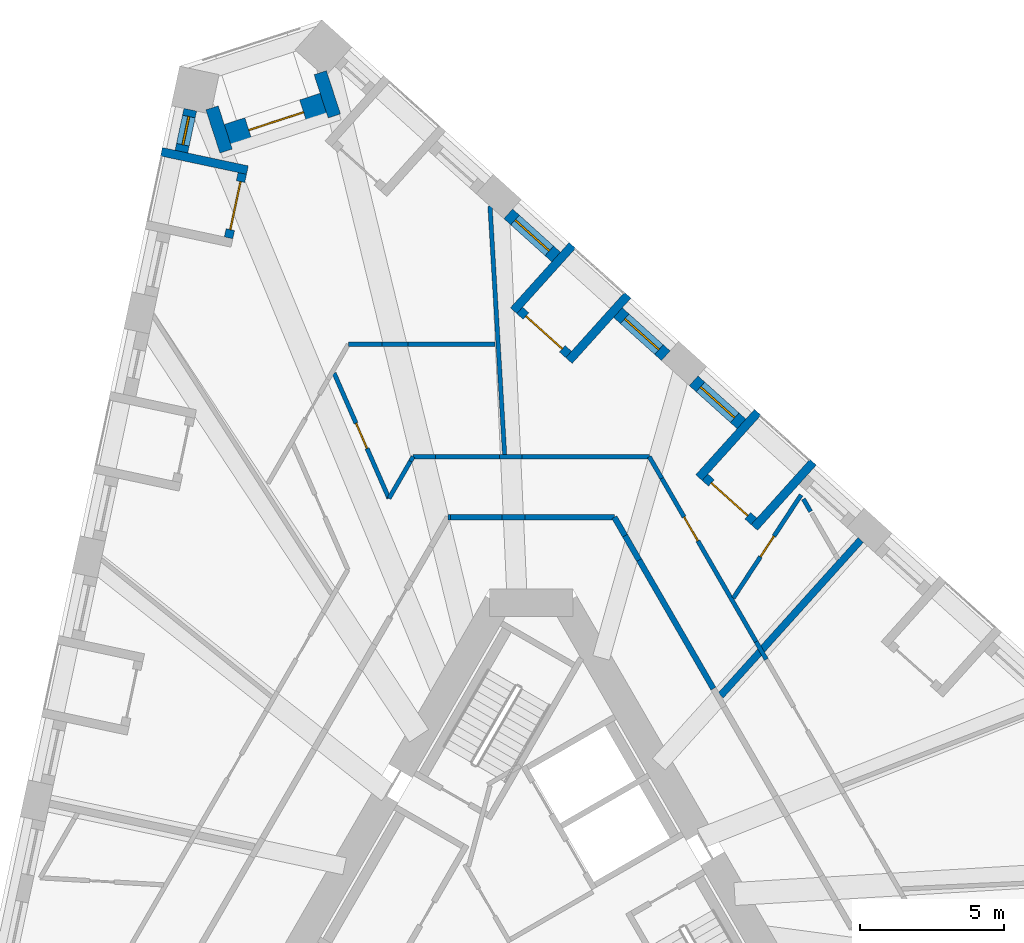
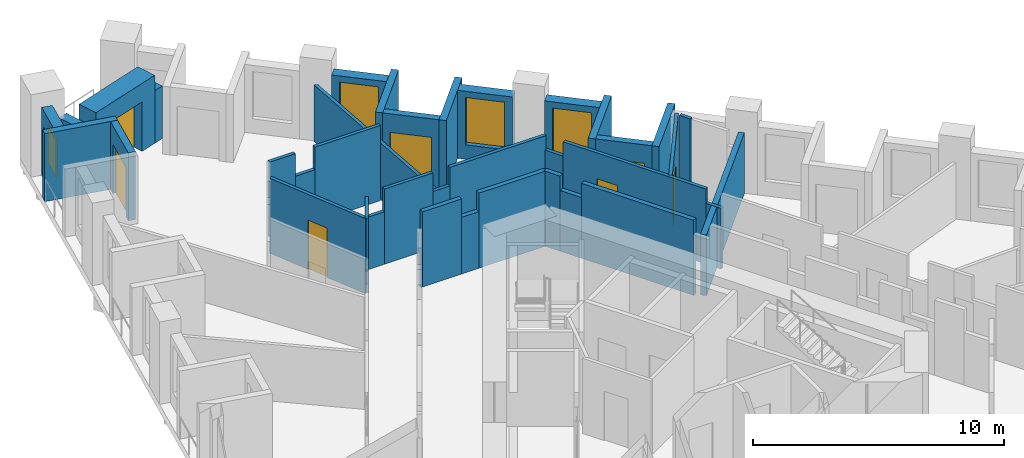
# One storey, part 8 of 12: 39 walls, 7 doors, 4 windows, 11 openings.
"""IFC4 building model written with IfcOpenShell, lengths in metres."""

from ifc_helpers import new_model, si_unit, direction, frame, frame_2d, origin, place, context, subcontext, project, spatial, rectangle, extrude, material, layer, layer_set, type_object, element, fill, save


model = new_model("IFC4")

# Units and contexts
model_context = context("Model", 3, precision=1e-05, world=origin(), true_north=direction((0.0, 1.0)))
body_context = subcontext(model_context, "Body", "Model", "MODEL_VIEW")
ifc_project = project(units=[si_unit("LENGTHUNIT", "METRE"), si_unit("AREAUNIT", "SQUARE_METRE"), si_unit("VOLUMEUNIT", "CUBIC_METRE"), si_unit("PLANEANGLEUNIT", "RADIAN"), si_unit("MASSUNIT", "GRAM", prefix="KILO")], contexts=[model_context])

# Site, building, storey
site_placement = place(None, origin())
site = spatial("IfcSite", under=ifc_project, at=site_placement, CompositionType="ELEMENT")
building_placement = place(site_placement, origin())
building = spatial("IfcBuilding", under=site, at=building_placement, Name="Tramontana Tower", CompositionType="ELEMENT")
storey_placement = place(building_placement, frame((0.0, 0.0, 96.39990234375)))
storey = spatial("IfcBuildingStorey", under=building, at=storey_placement, Name="L21", CompositionType="ELEMENT", Elevation=96.39990234375)

# Walls
ifc_material_1 = material(Name="Blockwork", Category="masonry")
ifc_layer_1 = layer(ifc_material_1, 0.199951171875)
ifc_layer_set_1 = layer_set([ifc_layer_1], Name="ENTRY WALL 200")
wall_type_1 = type_object("IfcWallType", Name="ENTRY WALL 200", PredefinedType="SOLIDWALL", material=ifc_layer_set_1)
wall_1_placement = place(storey_placement, frame((2.88671875, 13.5, 0.0), z_axis=(0.0, 0.0, 1.0), x_axis=(0.499987686533, -0.866032512851, 0.0)))
element("IfcWall", 1, at=wall_1_placement, inside=storey, type_object=wall_type_1, Name="Wall v20-ew0-0", PredefinedType="SOLIDWALL", context=body_context, shape_type="SweptSolid", body=[
    extrude(rectangle(XDim=0.74365234375, YDim=0.199951171875, at=frame_2d((0.371826171875, 0.0))), origin(), (0.0, 0.0, 1.0), 3.650146484375),
])
wall_2_placement = place(storey_placement, frame((3.258544921875, 12.85595703125, 0.0), z_axis=(0.0, 0.0, 1.0), x_axis=(0.500061185694, -0.865990075325, 0.0)))
element("IfcWall", 2, at=wall_2_placement, inside=storey, type_object=wall_type_1, Name="Wall v20-ew0-1", PredefinedType="SOLIDWALL", context=body_context, shape_type="SweptSolid", body=[
    extrude(rectangle(XDim=0.9775390625, YDim=0.199951171875, at=frame_2d((0.48876953125, 0.0))), origin(), (0.0, 0.0, 1.0), 2.9501953125),
])
wall_3_placement = place(storey_placement, frame((3.747314453125, 12.009521484375, 0.0), z_axis=(0.0, 0.0, 1.0), x_axis=(0.500001317485, -0.866024643133, 0.0)))
element("IfcWall", 3, at=wall_3_placement, inside=storey, type_object=wall_type_1, Name="Wall v20-ew0-2", PredefinedType="SOLIDWALL", context=body_context, shape_type="SweptSolid", body=[
    extrude(rectangle(XDim=5.1533203125, YDim=0.199951171875, at=frame_2d((2.57666015625, 0.0))), origin(), (0.0, 0.0, 1.0), 3.650146484375),
])
wall_4_placement = place(storey_placement, frame((-2.88671875, 13.5, 0.0), z_axis=(0.0, 0.0, 1.0), x_axis=(1.0, 0.0, 0.0)))
element("IfcWall", 4, at=wall_4_placement, inside=storey, type_object=wall_type_1, Name="Wall v20-ew5-0", PredefinedType="SOLIDWALL", context=body_context, shape_type="SweptSolid", body=[
    extrude(rectangle(XDim=0.079833984375, YDim=0.199951171875, at=frame_2d((0.0400390625, 0.0))), origin(), (0.0, 0.0, 1.0), 2.550048828125),
])
wall_5_placement = place(storey_placement, frame((-2.806884765625, 13.5, 0.0), z_axis=(0.0, 0.0, 1.0), x_axis=(1.0, 0.0, 0.0)))
element("IfcWall", 5, at=wall_5_placement, inside=storey, type_object=wall_type_1, Name="Wall v20-ew5-1", PredefinedType="SOLIDWALL", context=body_context, shape_type="SweptSolid", body=[
    extrude(rectangle(XDim=1.7880859375, YDim=0.199951171875, at=frame_2d((0.89404296875, 0.0))), origin(), (0.0, 0.0, 1.0), 3.650146484375),
])
wall_6_placement = place(storey_placement, frame((-1.018798828125, 13.5, 0.0), z_axis=(0.0, 0.0, 1.0), x_axis=(1.0, 0.0, 0.0)))
element("IfcWall", 6, at=wall_6_placement, inside=storey, type_object=wall_type_1, Name="Wall v20-ew5-2", PredefinedType="SOLIDWALL", context=body_context, shape_type="SweptSolid", body=[
    extrude(rectangle(XDim=0.80078125, YDim=0.199951171875, at=frame_2d((0.400390625, 0.0))), origin(), (0.0, 0.0, 1.0), 2.75),
])
wall_7_placement = place(storey_placement, frame((-0.218017578125, 13.5, 0.0), z_axis=(0.0, 0.0, 1.0), x_axis=(1.0, 0.0, 0.0)))
element("IfcWall", 7, at=wall_7_placement, inside=storey, type_object=wall_type_1, Name="Wall v20-ew5-3", PredefinedType="SOLIDWALL", context=body_context, shape_type="SweptSolid", body=[
    extrude(rectangle(XDim=3.104736328125, YDim=0.199951171875, at=frame_2d((1.55224609375, 0.0))), origin(), (0.0, 0.0, 1.0), 3.650146484375),
])

# Wall, opening, window
ifc_material_2 = material(Name="Precast concrete 60 MPa", Category="concrete")
ifc_layer_2 = layer(ifc_material_2, 0.449951171875)
ifc_layer_set_2 = layer_set([ifc_layer_2], Name="Precast concrete 60 MPa, 450 mm")
wall_type_2 = type_object("IfcWallType", Name="EW1 Stone-faced precast wall 450", PredefinedType="SOLIDWALL", material=ifc_layer_set_2)
wall_8_placement = place(storey_placement, frame((-11.835693359375, 27.645751953125, 0.0), z_axis=(0.0, 0.0, 1.0), x_axis=(-0.207880358131, -0.978154260178, 0.0)))
wall_8 = element("IfcWall", 8, at=wall_8_placement, inside=storey, type_object=wall_type_2, Name="External wall L21 face 0 bay 1", PredefinedType="SOLIDWALL", context=body_context, shape_type="SweptSolid", body=[
    extrude(rectangle(XDim=1.48681640625, YDim=0.449951171875, at=frame_2d((0.743408203125, 0.0))), origin(), (0.0, 0.0, 1.0), 3.300048828125),
])
opening_1_placement = place(wall_8_placement, frame((0.243408203125, 0.0, 0.699951171875)))
opening_1 = element("IfcOpeningElement", 9, at=opening_1_placement, cuts=wall_8, Name="Opening N1L", PredefinedType="OPENING", context=body_context, shape_type="SweptSolid", body=[
    extrude(rectangle(XDim=1.0, YDim=1.800048828125, at=frame_2d((0.5, 0.89990234375))), frame((0.0, 0.23486328125, 0.0), z_axis=(0.0, -1.0, 0.0), x_axis=(1.0, 0.0, 0.0)), (0.0, 0.0, 1.0), 0.469970703125),
])
ifc_material_3 = material(Name="Aluminum frame, double glazing unit", Category="aluminium")
window_type_1 = type_object("IfcWindowType", Name="N1L Window 1 x 1.8", PartitioningType="SINGLE_PANEL", PredefinedType="WINDOW", material=ifc_material_3)
window_1_placement = place(opening_1_placement, origin())
window_1 = element("IfcWindow", 10, at=window_1_placement, inside=storey, type_object=window_type_1, Name="Window N1L L21 face 0 module 1", OverallHeight=1.800048828125, OverallWidth=1.0, PartitioningType="SINGLE_PANEL", PredefinedType="WINDOW", context=body_context, shape_type="SweptSolid", body=[
    extrude(rectangle(XDim=1.0, YDim=1.800048828125, at=frame_2d((0.5, 0.89990234375))), frame((0.0, 0.030029296875, 0.0), z_axis=(0.0, -1.0, 0.0), x_axis=(1.0, 0.0, 0.0)), (0.0, 0.0, 1.0), 0.06005859375),
])
fill(opening_1, window_1)

wall_9_placement = place(storey_placement, frame((7.30224609375, 16.73828125, 0.0), z_axis=(0.0, 0.0, 1.0), x_axis=(-0.743191019375, 0.669079299276, 0.0)))
wall_9 = element("IfcWall", 11, at=wall_9_placement, inside=storey, type_object=wall_type_2, Name="External wall L21 face 2 bay 4", PredefinedType="SOLIDWALL", context=body_context, shape_type="SweptSolid", body=[
    extrude(rectangle(XDim=2.23681640625, YDim=0.449951171875, at=frame_2d((1.118408203125, 0.0))), origin(), (0.0, 0.0, 1.0), 3.300048828125),
])
opening_2_placement = place(wall_9_placement, frame((0.318359375, 0.0, 0.699951171875)))
opening_2 = element("IfcOpeningElement", 12, at=opening_2_placement, cuts=wall_9, Name="Opening M1", PredefinedType="OPENING", context=body_context, shape_type="SweptSolid", body=[
    extrude(rectangle(XDim=1.60009765625, YDim=2.300048828125, at=frame_2d((0.800048828125, 1.14990234375))), frame((0.0, 0.23486328125, 0.0), z_axis=(0.0, -1.0, 0.0), x_axis=(1.0, 0.0, 0.0)), (0.0, 0.0, 1.0), 0.469970703125),
])
ifc_material_4 = material(Name="Aluminum frame, double glazing unit", Category="aluminium")
window_type_2 = type_object("IfcWindowType", Name="M1 Window 1.6 x 2.3", PartitioningType="SINGLE_PANEL", PredefinedType="WINDOW", material=ifc_material_4)
window_2_placement = place(opening_2_placement, origin())
window_2 = element("IfcWindow", 13, at=window_2_placement, inside=storey, type_object=window_type_2, Name="Window M1 L21 face 2 module 12", OverallHeight=2.300048828125, OverallWidth=1.60009765625, PartitioningType="SINGLE_PANEL", PredefinedType="WINDOW", context=body_context, shape_type="SweptSolid", body=[
    extrude(rectangle(XDim=1.60009765625, YDim=2.300048828125, at=frame_2d((0.800048828125, 1.14990234375))), frame((0.0, 0.030029296875, 0.0), z_axis=(0.0, -1.0, 0.0), x_axis=(1.0, 0.0, 0.0)), (0.0, 0.0, 1.0), 0.06005859375),
])
fill(opening_2, window_2)

wall_10_placement = place(storey_placement, frame((4.673828125, 19.104736328125, 0.0), z_axis=(0.0, 0.0, 1.0), x_axis=(-0.743191019375, 0.669079299276, 0.0)))
wall_10 = element("IfcWall", 14, at=wall_10_placement, inside=storey, type_object=wall_type_2, Name="External wall L21 face 2 bay 5", PredefinedType="SOLIDWALL", context=body_context, shape_type="SweptSolid", body=[
    extrude(rectangle(XDim=2.23681640625, YDim=0.449951171875, at=frame_2d((1.118408203125, 0.0))), origin(), (0.0, 0.0, 1.0), 3.300048828125),
])
opening_3_placement = place(wall_10_placement, frame((0.318359375, 0.0, 0.699951171875)))
opening_3 = element("IfcOpeningElement", 15, at=opening_3_placement, cuts=wall_10, Name="Opening M1", PredefinedType="OPENING", context=body_context, shape_type="SweptSolid", body=[
    extrude(rectangle(XDim=1.60009765625, YDim=2.300048828125, at=frame_2d((0.800048828125, 1.14990234375))), frame((0.0, 0.23486328125, 0.0), z_axis=(0.0, -1.0, 0.0), x_axis=(1.0, 0.0, 0.0)), (0.0, 0.0, 1.0), 0.469970703125),
])
window_3_placement = place(opening_3_placement, origin())
window_3 = element("IfcWindow", 16, at=window_3_placement, inside=storey, type_object=window_type_2, Name="Window M1 L21 face 2 module 13", OverallHeight=2.300048828125, OverallWidth=1.60009765625, PartitioningType="SINGLE_PANEL", PredefinedType="WINDOW", context=body_context, shape_type="SweptSolid", body=[
    extrude(rectangle(XDim=1.60009765625, YDim=2.300048828125, at=frame_2d((0.800048828125, 1.14990234375))), frame((0.0, 0.030029296875, 0.0), z_axis=(0.0, -1.0, 0.0), x_axis=(1.0, 0.0, 0.0)), (0.0, 0.0, 1.0), 0.06005859375),
])
fill(opening_3, window_3)

wall_11_placement = place(storey_placement, frame((0.8662109375, 22.532958984375, 0.0), z_axis=(0.0, 0.0, 1.0), x_axis=(-0.743087873176, 0.669193852885, 0.0)))
wall_11 = element("IfcWall", 17, at=wall_11_placement, inside=storey, type_object=wall_type_2, Name="External wall L21 face 2 bay 5", PredefinedType="SOLIDWALL", context=body_context, shape_type="SweptSolid", body=[
    extrude(rectangle(XDim=2.23681640625, YDim=0.449951171875, at=frame_2d((1.118408203125, 0.0))), origin(), (0.0, 0.0, 1.0), 3.300048828125),
])
opening_4_placement = place(wall_11_placement, frame((0.318359375, 0.0, 0.699951171875)))
opening_4 = element("IfcOpeningElement", 18, at=opening_4_placement, cuts=wall_11, Name="Opening M1", PredefinedType="OPENING", context=body_context, shape_type="SweptSolid", body=[
    extrude(rectangle(XDim=1.60009765625, YDim=2.300048828125, at=frame_2d((0.800048828125, 1.14990234375))), frame((0.0, 0.23486328125, 0.0), z_axis=(0.0, -1.0, 0.0), x_axis=(1.0, 0.0, 0.0)), (0.0, 0.0, 1.0), 0.469970703125),
])
window_4_placement = place(opening_4_placement, origin())
window_4 = element("IfcWindow", 19, at=window_4_placement, inside=storey, type_object=window_type_2, Name="Window M1 L21 face 2 module 15", OverallHeight=2.300048828125, OverallWidth=1.60009765625, PartitioningType="SINGLE_PANEL", PredefinedType="WINDOW", context=body_context, shape_type="SweptSolid", body=[
    extrude(rectangle(XDim=1.60009765625, YDim=2.300048828125, at=frame_2d((0.800048828125, 1.14990234375))), frame((0.0, 0.030029296875, 0.0), z_axis=(0.0, -1.0, 0.0), x_axis=(1.0, 0.0, 0.0)), (0.0, 0.0, 1.0), 0.06005859375),
])
fill(opening_4, window_4)

# Walls
for number, where, z_axis, x_axis, name in (
    (20, (-11.08056640625, 27.71142578125, 0.0), (0.0, 0.0, 1.0), (0.309030142399, -0.951052244143, 0.0), "Corner loggia side wall L21 K20l"),
    (21, (-7.323974609375, 28.93212890625, 0.0), (0.0, 0.0, 1.0), (0.309030142399, -0.951052244143, 0.0), "Corner loggia side wall L21 K20r"),
):
    element("IfcWall", number, at=place(storey_placement, frame(where, z_axis=z_axis, x_axis=x_axis)), inside=storey, type_object=wall_type_2, Name=name, PredefinedType="SOLIDWALL", context=body_context, shape_type="SweptSolid", body=[
        extrude(rectangle(XDim=1.579345703125, YDim=0.449951171875, at=frame_2d((0.78955078125, 0.0))), origin(), (0.0, 0.0, 1.0), 2.550048828125),
    ])

# Wall, opening, door
ifc_material_5 = material(Name="Precast concrete 60 MPa", Category="concrete")
ifc_layer_3 = layer(ifc_material_5, 0.89990234375)
ifc_layer_set_3 = layer_set([ifc_layer_3], Name="EW2 Stone-faced corner loggia wall 900")
wall_type_3 = type_object("IfcWallType", Name="EW2 Stone-faced corner loggia wall 900", PredefinedType="SOLIDWALL", material=ifc_layer_set_3)
wall_12_placement = place(storey_placement, frame((-10.517578125, 26.70703125, 0.0), z_axis=(0.0, 0.0, 1.0), x_axis=(0.951055596592, 0.309019824916, 0.0)))
wall_12 = element("IfcWall", 22, at=wall_12_placement, inside=storey, type_object=wall_type_3, Name="Corner loggia wall L21 K20", PredefinedType="SOLIDWALL", context=body_context, shape_type="SweptSolid", body=[
    extrude(rectangle(XDim=3.5, YDim=0.89990234375, at=frame_2d((1.75, 0.0))), origin(), (0.0, 0.0, 1.0), 3.300048828125),
])
opening_5_placement = place(wall_12_placement, frame((0.75, 0.0, 0.0)))
opening_5 = element("IfcOpeningElement", 23, at=opening_5_placement, cuts=wall_12, Name="Opening BD-20C", PredefinedType="OPENING", context=body_context, shape_type="SweptSolid", body=[
    extrude(rectangle(XDim=2.0, YDim=2.39990234375, at=frame_2d((1.0, 1.199951171875))), frame((0.0, 0.4599609375, 0.0), z_axis=(0.0, -1.0, 0.0), x_axis=(1.0, 0.0, 0.0)), (0.0, 0.0, 1.0), 0.919921875),
])
ifc_material_6 = material(Name="Aluminum frame, double glazing unit", Category="aluminium")
door_type_1 = type_object("IfcDoorType", Name="BC1 Sliding door 2 x 2.4", OperationType="SLIDING_TO_LEFT", PredefinedType="DOOR", material=ifc_material_6)
door_1_placement = place(opening_5_placement, origin())
door_1 = element("IfcDoor", 24, at=door_1_placement, inside=storey, type_object=door_type_1, Name="Corner loggia door L21 K20", OperationType="SLIDING_TO_LEFT", OverallHeight=2.39990234375, OverallWidth=2.0, PredefinedType="DOOR", context=body_context, shape_type="SweptSolid", body=[
    extrude(rectangle(XDim=2.0, YDim=2.39990234375, at=frame_2d((1.0, 1.199951171875))), frame((0.0, 0.02490234375, 0.0), z_axis=(0.0, -1.0, 0.0), x_axis=(1.0, 0.0, 0.0)), (0.0, 0.0, 1.0), 0.050048828125),
])
fill(opening_5, door_1)

ifc_material_7 = material(Name="Precast concrete 60 MPa", Category="concrete")
ifc_layer_4 = layer(ifc_material_7, 0.300048828125)
ifc_layer_set_4 = layer_set([ifc_layer_4], Name="LW1 Stone-faced loggia wall 300")
wall_type_4 = type_object("IfcWallType", Name="LW1 Stone-faced loggia wall 300", PredefinedType="SOLIDWALL", material=ifc_layer_set_4)
wall_13_placement = place(storey_placement, frame((-10.031005859375, 25.435302734375, 0.0), z_axis=(0.0, 0.0, 1.0), x_axis=(-0.207866417042, -0.978157222877, 0.0)))
wall_13 = element("IfcWall", 25, at=wall_13_placement, inside=storey, type_object=wall_type_4, Name="Loggia wall L21 G2S0.1", PredefinedType="SOLIDWALL", context=body_context, shape_type="SweptSolid", body=[
    extrude(rectangle(XDim=2.286865234375, YDim=0.300048828125, at=frame_2d((1.1435546875, 0.0))), origin(), (0.0, 0.0, 1.0), 3.300048828125),
])
opening_6_placement = place(wall_13_placement, frame((0.29345703125, 0.0, 0.0)))
opening_6 = element("IfcOpeningElement", 26, at=opening_6_placement, cuts=wall_13, Name="Opening BD-2S0-01", PredefinedType="OPENING", context=body_context, shape_type="SweptSolid", body=[
    extrude(rectangle(XDim=1.699951171875, YDim=2.39990234375, at=frame_2d((0.85009765625, 1.199951171875))), frame((0.0, 0.159912109375, 0.0), z_axis=(0.0, -1.0, 0.0), x_axis=(1.0, 0.0, 0.0)), (0.0, 0.0, 1.0), 0.320068359375),
])
ifc_material_8 = material(Name="Aluminum frame, double glazing unit", Category="aluminium")
door_type_2 = type_object("IfcDoorType", Name="BD1 Sliding door 1.7 x 2.4", OperationType="SLIDING_TO_LEFT", PredefinedType="DOOR", material=ifc_material_8)
door_2_placement = place(opening_6_placement, origin())
door_2 = element("IfcDoor", 27, at=door_2_placement, inside=storey, type_object=door_type_2, Name="Loggia door L21 G2S0.1", OperationType="SLIDING_TO_LEFT", OverallHeight=2.39990234375, OverallWidth=1.699951171875, PredefinedType="DOOR", context=body_context, shape_type="SweptSolid", body=[
    extrude(rectangle(XDim=1.699951171875, YDim=2.39990234375, at=frame_2d((0.85009765625, 1.199951171875))), frame((0.0, 0.02490234375, 0.0), z_axis=(0.0, -1.0, 0.0), x_axis=(1.0, 0.0, 0.0)), (0.0, 0.0, 1.0), 0.050048828125),
])
fill(opening_6, door_2)

# Wall
wall_14_placement = place(storey_placement, frame((-12.83642578125, 26.18505859375, 0.0), z_axis=(0.0, 0.0, 1.0), x_axis=(0.978154782045, -0.207877902534, 0.0)))
element("IfcWall", 28, at=wall_14_placement, inside=storey, type_object=wall_type_4, Name="Loggia return L21 G2S0.1a", PredefinedType="SOLIDWALL", context=body_context, shape_type="SweptSolid", body=[
    extrude(rectangle(XDim=3.050048828125, YDim=0.300048828125, at=frame_2d((1.52490234375, 0.0))), origin(), (0.0, 0.0, 1.0), 3.300048828125),
])

# Wall, opening, door
wall_15_placement = place(storey_placement, frame((7.735595703125, 13.353759765625, 0.0), z_axis=(0.0, 0.0, 1.0), x_axis=(-0.743081759278, 0.669200641832, 0.0)))
wall_15 = element("IfcWall", 29, at=wall_15_placement, inside=storey, type_object=wall_type_4, Name="Loggia wall L21 G2S2.10", PredefinedType="SOLIDWALL", context=body_context, shape_type="SweptSolid", body=[
    extrude(rectangle(XDim=2.28662109375, YDim=0.300048828125, at=frame_2d((1.143310546875, 0.0))), origin(), (0.0, 0.0, 1.0), 3.300048828125),
])
opening_7_placement = place(wall_15_placement, frame((0.29345703125, 0.0, 0.0)))
opening_7 = element("IfcOpeningElement", 30, at=opening_7_placement, cuts=wall_15, Name="Opening BD-2S2-10", PredefinedType="OPENING", context=body_context, shape_type="SweptSolid", body=[
    extrude(rectangle(XDim=1.699951171875, YDim=2.39990234375, at=frame_2d((0.85009765625, 1.199951171875))), frame((0.0, 0.159912109375, 0.0), z_axis=(0.0, -1.0, 0.0), x_axis=(1.0, 0.0, 0.0)), (0.0, 0.0, 1.0), 0.320068359375),
])
door_3_placement = place(opening_7_placement, origin())
door_3 = element("IfcDoor", 31, at=door_3_placement, inside=storey, type_object=door_type_2, Name="Loggia door L21 G2S2.10", OperationType="SLIDING_TO_LEFT", OverallHeight=2.39990234375, OverallWidth=1.699951171875, PredefinedType="DOOR", context=body_context, shape_type="SweptSolid", body=[
    extrude(rectangle(XDim=1.699951171875, YDim=2.39990234375, at=frame_2d((0.85009765625, 1.199951171875))), frame((0.0, 0.02490234375, 0.0), z_axis=(0.0, -1.0, 0.0), x_axis=(1.0, 0.0, 0.0)), (0.0, 0.0, 1.0), 0.050048828125),
])
fill(opening_7, door_3)

# Walls
for number, where, z_axis, x_axis, name in (
    (32, (9.78759765625, 15.40869140625, 0.0), (0.0, 0.0, 1.0), (-0.669115082961, -0.743158802514, 0.0), "Loggia return L21 G2S2.10a"),
    (33, (7.865234375, 17.139404296875, 0.0), (0.0, 0.0, 1.0), (-0.669115082961, -0.743158802514, 0.0), "Loggia return L21 G2S2.10b"),
):
    element("IfcWall", number, at=place(storey_placement, frame(where, z_axis=z_axis, x_axis=x_axis)), inside=storey, type_object=wall_type_4, Name=name, PredefinedType="SOLIDWALL", context=body_context, shape_type="SweptSolid", body=[
        extrude(rectangle(XDim=3.050048828125, YDim=0.300048828125, at=frame_2d((1.52490234375, 0.0))), origin(), (0.0, 0.0, 1.0), 3.300048828125),
    ])

# Wall, opening, door
wall_16_placement = place(storey_placement, frame((1.2998046875, 19.148681640625, 0.0), z_axis=(0.0, 0.0, 1.0), x_axis=(-0.743182653308, 0.669088591909, 0.0)))
wall_16 = element("IfcWall", 34, at=wall_16_placement, inside=storey, type_object=wall_type_4, Name="Loggia wall L21 G2S2.13", PredefinedType="SOLIDWALL", context=body_context, shape_type="SweptSolid", body=[
    extrude(rectangle(XDim=2.28662109375, YDim=0.300048828125, at=frame_2d((1.143310546875, 0.0))), origin(), (0.0, 0.0, 1.0), 3.300048828125),
])
opening_8_placement = place(wall_16_placement, frame((0.29345703125, 0.0, 0.0)))
opening_8 = element("IfcOpeningElement", 35, at=opening_8_placement, cuts=wall_16, Name="Opening BD-2S2-13", PredefinedType="OPENING", context=body_context, shape_type="SweptSolid", body=[
    extrude(rectangle(XDim=1.699951171875, YDim=2.39990234375, at=frame_2d((0.85009765625, 1.199951171875))), frame((0.0, 0.159912109375, 0.0), z_axis=(0.0, -1.0, 0.0), x_axis=(1.0, 0.0, 0.0)), (0.0, 0.0, 1.0), 0.320068359375),
])
door_4_placement = place(opening_8_placement, origin())
door_4 = element("IfcDoor", 36, at=door_4_placement, inside=storey, type_object=door_type_2, Name="Loggia door L21 G2S2.13", OperationType="SLIDING_TO_LEFT", OverallHeight=2.39990234375, OverallWidth=1.699951171875, PredefinedType="DOOR", context=body_context, shape_type="SweptSolid", body=[
    extrude(rectangle(XDim=1.699951171875, YDim=2.39990234375, at=frame_2d((0.85009765625, 1.199951171875))), frame((0.0, 0.02490234375, 0.0), z_axis=(0.0, -1.0, 0.0), x_axis=(1.0, 0.0, 0.0)), (0.0, 0.0, 1.0), 0.050048828125),
])
fill(opening_8, door_4)

# Walls
for number, where, z_axis, x_axis, name in (
    (37, (3.351806640625, 21.203369140625, 0.0), (0.0, 0.0, 1.0), (-0.669115082961, -0.743158802514, 0.0), "Loggia return L21 G2S2.13a"),
    (38, (1.429443359375, 22.934326171875, 0.0), (0.0, 0.0, 1.0), (-0.669115082961, -0.743158802514, 0.0), "Loggia return L21 G2S2.13b"),
):
    element("IfcWall", number, at=place(storey_placement, frame(where, z_axis=z_axis, x_axis=x_axis)), inside=storey, type_object=wall_type_4, Name=name, PredefinedType="SOLIDWALL", context=body_context, shape_type="SweptSolid", body=[
        extrude(rectangle(XDim=3.050048828125, YDim=0.300048828125, at=frame_2d((1.52490234375, 0.0))), origin(), (0.0, 0.0, 1.0), 3.300048828125),
    ])

# Wall, opening, door
ifc_material_9 = material(Name="Gypsum board partition")
ifc_layer_5 = layer(ifc_material_9, 0.14990234375)
ifc_layer_set_5 = layer_set([ifc_layer_5], Name="PARTITION 150")
wall_type_5 = type_object("IfcWallType", Name="PARTITION 150", PredefinedType="PARTITIONING", material=ifc_layer_set_5)
wall_17_placement = place(storey_placement, frame((-6.84228515625, 18.4990234375, 0.0), z_axis=(0.0, 0.0, 1.0), x_axis=(0.400991537582, -0.916081757698, 0.0)))
wall_17 = element("IfcWall", 39, at=wall_17_placement, inside=storey, type_object=wall_type_5, Name="Wall v20-pw14", PredefinedType="PARTITIONING", context=body_context, shape_type="SweptSolid", body=[
    extrude(rectangle(XDim=4.745849609375, YDim=0.14990234375, at=frame_2d((2.373046875, 0.0))), origin(), (0.0, 0.0, 1.0), 3.650146484375),
])
opening_9_placement = place(wall_17_placement, frame((1.89794921875, 0.0, 0.0)))
opening_9 = element("IfcOpeningElement", 40, at=opening_9_placement, cuts=wall_17, Name="Opening B2A-01", PredefinedType="OPENING", context=body_context, shape_type="SweptSolid", body=[
    extrude(rectangle(XDim=0.949951171875, YDim=2.39990234375, at=frame_2d((0.47509765625, 1.199951171875))), frame((0.0, 0.0849609375, 0.0), z_axis=(0.0, -1.0, 0.0), x_axis=(1.0, 0.0, 0.0)), (0.0, 0.0, 1.0), 0.169921875),
])
ifc_material_10 = material(Name="Painted timber", Category="wood")
door_type_3 = type_object("IfcDoorType", Name="DOOR ROOM 950", OperationType="SINGLE_SWING_LEFT", PredefinedType="DOOR", material=ifc_material_10)
door_5_placement = place(opening_9_placement, origin())
door_5 = element("IfcDoor", 41, at=door_5_placement, inside=storey, type_object=door_type_3, Name="Door B2A-01", OperationType="SINGLE_SWING_LEFT", OverallHeight=2.39990234375, OverallWidth=0.949951171875, PredefinedType="DOOR", context=body_context, shape_type="SweptSolid", body=[
    extrude(rectangle(XDim=0.949951171875, YDim=2.39990234375, at=frame_2d((0.47509765625, 1.199951171875))), frame((0.0, 0.02490234375, 0.0), z_axis=(0.0, -1.0, 0.0), x_axis=(1.0, 0.0, 0.0)), (0.0, 0.0, 1.0), 0.050048828125),
])
fill(opening_9, door_5)

# Walls
wall_18_placement = place(storey_placement, frame((-6.350830078125, 19.5, 0.0), z_axis=(0.0, 0.0, 1.0), x_axis=(1.0, 0.0, 0.0)))
element("IfcWall", 42, at=wall_18_placement, inside=storey, type_object=wall_type_5, Name="Wall v20-pw16-0", PredefinedType="PARTITIONING", context=body_context, shape_type="SweptSolid", body=[
    extrude(rectangle(XDim=1.177490234375, YDim=0.14990234375, at=frame_2d((0.5888671875, 0.0))), origin(), (0.0, 0.0, 1.0), 3.650146484375),
])
wall_19_placement = place(storey_placement, frame((-5.17333984375, 19.5, 0.0), z_axis=(0.0, 0.0, 1.0), x_axis=(1.0, 0.0, 0.0)))
element("IfcWall", 43, at=wall_19_placement, inside=storey, type_object=wall_type_5, Name="Wall v20-pw16-1", PredefinedType="PARTITIONING", context=body_context, shape_type="SweptSolid", body=[
    extrude(rectangle(XDim=0.900390625, YDim=0.14990234375, at=frame_2d((0.4501953125, 0.0))), origin(), (0.0, 0.0, 1.0), 2.550048828125),
])
wall_20_placement = place(storey_placement, frame((-4.27294921875, 19.5, 0.0), z_axis=(0.0, 0.0, 1.0), x_axis=(1.0, 0.0, 0.0)))
element("IfcWall", 44, at=wall_20_placement, inside=storey, type_object=wall_type_5, Name="Wall v20-pw16-2", PredefinedType="PARTITIONING", context=body_context, shape_type="SweptSolid", body=[
    extrude(rectangle(XDim=3.015380859375, YDim=0.14990234375, at=frame_2d((1.5078125, 0.0))), origin(), (0.0, 0.0, 1.0), 3.650146484375),
])
wall_21_placement = place(storey_placement, frame((-4.935546875, 14.1513671875, 0.0), z_axis=(0.0, 0.0, 1.0), x_axis=(0.500015540671, 0.866016431188, 0.0)))
element("IfcWall", 45, at=wall_21_placement, inside=storey, type_object=wall_type_5, Name="Wall v20-pw18-0", PredefinedType="PARTITIONING", context=body_context, shape_type="SweptSolid", body=[
    extrude(rectangle(XDim=1.490234375, YDim=0.14990234375, at=frame_2d((0.7451171875, 0.0))), origin(), (0.0, 0.0, 1.0), 3.650146484375),
])
wall_22_placement = place(storey_placement, frame((-4.1904296875, 15.44189453125, 0.0), z_axis=(0.0, 0.0, 1.0), x_axis=(0.50045593687, 0.865762008436, 0.0)))
element("IfcWall", 46, at=wall_22_placement, inside=storey, type_object=wall_type_5, Name="Wall v20-pw18-1", PredefinedType="PARTITIONING", context=body_context, shape_type="SweptSolid", body=[
    extrude(rectangle(XDim=0.182373046875, YDim=0.14990234375, at=frame_2d((0.09130859375, 0.0))), origin(), (0.0, 0.0, 1.0), 2.550048828125),
])
wall_23_placement = place(storey_placement, frame((-4.09912109375, 15.60009765625, 0.0), z_axis=(0.0, 0.0, 1.0), x_axis=(1.0, 0.0, 0.0)))
element("IfcWall", 47, at=wall_23_placement, inside=storey, type_object=wall_type_5, Name="Wall v20-pw19-0", PredefinedType="PARTITIONING", context=body_context, shape_type="SweptSolid", body=[
    extrude(rectangle(XDim=0.770751953125, YDim=0.14990234375, at=frame_2d((0.38525390625, 0.0))), origin(), (0.0, 0.0, 1.0), 2.550048828125),
])
wall_24_placement = place(storey_placement, frame((-3.328369140625, 15.60009765625, 0.0), z_axis=(0.0, 0.0, 1.0), x_axis=(1.0, 0.0, 0.0)))
element("IfcWall", 48, at=wall_24_placement, inside=storey, type_object=wall_type_5, Name="Wall v20-pw19-1", PredefinedType="PARTITIONING", context=body_context, shape_type="SweptSolid", body=[
    extrude(rectangle(XDim=2.225830078125, YDim=0.14990234375, at=frame_2d((1.11279296875, 0.0))), origin(), (0.0, 0.0, 1.0), 3.650146484375),
])
wall_25_placement = place(storey_placement, frame((-1.1025390625, 15.60009765625, 0.0), z_axis=(0.0, 0.0, 1.0), x_axis=(1.0, 0.0, 0.0)))
element("IfcWall", 49, at=wall_25_placement, inside=storey, type_object=wall_type_5, Name="Wall v20-pw19-2", PredefinedType="PARTITIONING", context=body_context, shape_type="SweptSolid", body=[
    extrude(rectangle(XDim=0.77587890625, YDim=0.14990234375, at=frame_2d((0.387939453125, 0.0))), origin(), (0.0, 0.0, 1.0), 2.75),
])
wall_26_placement = place(storey_placement, frame((-0.32666015625, 15.60009765625, 0.0), z_axis=(0.0, 0.0, 1.0), x_axis=(1.0, 0.0, 0.0)))
element("IfcWall", 50, at=wall_26_placement, inside=storey, type_object=wall_type_5, Name="Wall v20-pw19-3", PredefinedType="PARTITIONING", context=body_context, shape_type="SweptSolid", body=[
    extrude(rectangle(XDim=4.42578125, YDim=0.14990234375, at=frame_2d((2.212890625, 0.0))), origin(), (0.0, 0.0, 1.0), 3.650146484375),
])
wall_27_placement = place(storey_placement, frame((-1.429443359375, 24.29736328125, 0.0), z_axis=(0.0, 0.0, 1.0), x_axis=(0.058736934744, -0.99827349584, 0.0)))
element("IfcWall", 51, at=wall_27_placement, inside=storey, type_object=wall_type_5, Name="Wall v20-pw21-0", PredefinedType="PARTITIONING", context=body_context, shape_type="SweptSolid", body=[
    extrude(rectangle(XDim=8.63720703125, YDim=0.14990234375, at=frame_2d((4.318603515625, 0.0))), origin(), (0.0, 0.0, 1.0), 2.75),
])
wall_28_placement = place(storey_placement, frame((4.09912109375, 15.599853515625, 0.0), z_axis=(0.0, 0.0, 1.0), x_axis=(0.500216765549, -0.86590021796, 0.0)))
element("IfcWall", 52, at=wall_28_placement, inside=storey, type_object=wall_type_5, Name="Wall v20-pw23-0", PredefinedType="PARTITIONING", context=body_context, shape_type="SweptSolid", body=[
    extrude(rectangle(XDim=0.869140625, YDim=0.14990234375, at=frame_2d((0.4345703125, 0.0))), origin(), (0.0, 0.0, 1.0), 2.9501953125),
])

# Wall, opening, door
wall_29_placement = place(storey_placement, frame((7.80810546875, 9.176025390625, 0.0), z_axis=(0.0, 0.0, 1.0), x_axis=(-0.499992467015, 0.866029752912, 0.0)))
wall_29 = element("IfcWall", 53, at=wall_29_placement, inside=storey, type_object=wall_type_5, Name="Wall v20-pw23-1", PredefinedType="PARTITIONING", context=body_context, shape_type="SweptSolid", body=[
    extrude(rectangle(XDim=6.54833984375, YDim=0.14990234375, at=frame_2d((3.274169921875, 0.0))), origin(), (0.0, 0.0, 1.0), 3.650146484375),
])
opening_10_placement = place(wall_29_placement, frame((4.046875, 0.0, 0.0)))
opening_10 = element("IfcOpeningElement", 54, at=opening_10_placement, cuts=wall_29, Name="Opening B2A-04", PredefinedType="OPENING", context=body_context, shape_type="SweptSolid", body=[
    extrude(rectangle(XDim=0.949951171875, YDim=2.39990234375, at=frame_2d((0.47509765625, 1.199951171875))), frame((0.0, 0.0849609375, 0.0), z_axis=(0.0, -1.0, 0.0), x_axis=(1.0, 0.0, 0.0)), (0.0, 0.0, 1.0), 0.169921875),
])
door_6_placement = place(opening_10_placement, origin())
door_6 = element("IfcDoor", 55, at=door_6_placement, inside=storey, type_object=door_type_3, Name="Door B2A-04", OperationType="SINGLE_SWING_RIGHT", OverallHeight=2.39990234375, OverallWidth=0.949951171875, PredefinedType="DOOR", context=body_context, shape_type="SweptSolid", body=[
    extrude(rectangle(XDim=0.949951171875, YDim=2.39990234375, at=frame_2d((0.47509765625, 1.199951171875))), frame((0.0, 0.02490234375, 0.0), z_axis=(0.0, -1.0, 0.0), x_axis=(1.0, 0.0, 0.0)), (0.0, 0.0, 1.0), 0.050048828125),
])
fill(opening_10, door_6)

# Wall
wall_30_placement = place(storey_placement, frame((7.80810546875, 9.176025390625, 0.0), z_axis=(0.0, 0.0, 1.0), x_axis=(0.499950805595, -0.866053804324, 0.0)))
element("IfcWall", 56, at=wall_30_placement, inside=storey, type_object=wall_type_5, Name="Wall v20-pw23-2", PredefinedType="PARTITIONING", context=body_context, shape_type="SweptSolid", body=[
    extrude(rectangle(XDim=0.70947265625, YDim=0.14990234375, at=frame_2d((0.354736328125, 0.0))), origin(), (0.0, 0.0, 1.0), 2.9501953125),
])

# Wall, opening, door
wall_31_placement = place(storey_placement, frame((9.36962890625, 14.271484375, 0.0), z_axis=(0.0, 0.0, 1.0), x_axis=(-0.548818328071, -0.83594165034, 0.0)))
wall_31 = element("IfcWall", 57, at=wall_31_placement, inside=storey, type_object=wall_type_5, Name="Wall v20-pw26", PredefinedType="PARTITIONING", context=body_context, shape_type="SweptSolid", body=[
    extrude(rectangle(XDim=4.2822265625, YDim=0.14990234375, at=frame_2d((2.14111328125, 0.0))), origin(), (0.0, 0.0, 1.0), 3.650146484375),
])
opening_11_placement = place(wall_31_placement, frame((1.716064453125, 0.0, 0.0)))
opening_11 = element("IfcOpeningElement", 58, at=opening_11_placement, cuts=wall_31, Name="Opening B2A-07", PredefinedType="OPENING", context=body_context, shape_type="SweptSolid", body=[
    extrude(rectangle(XDim=0.85009765625, YDim=2.39990234375, at=frame_2d((0.425048828125, 1.199951171875))), frame((0.0, 0.0849609375, 0.0), z_axis=(0.0, -1.0, 0.0), x_axis=(1.0, 0.0, 0.0)), (0.0, 0.0, 1.0), 0.169921875),
])
ifc_material_11 = material(Name="Painted timber", Category="wood")
door_type_4 = type_object("IfcDoorType", Name="DOOR BATH 850", OperationType="SINGLE_SWING_LEFT", PredefinedType="DOOR", material=ifc_material_11)
door_7_placement = place(opening_11_placement, origin())
door_7 = element("IfcDoor", 59, at=door_7_placement, inside=storey, type_object=door_type_4, Name="Door B2A-07", OperationType="SINGLE_SWING_LEFT", OverallHeight=2.39990234375, OverallWidth=0.85009765625, PredefinedType="DOOR", context=body_context, shape_type="SweptSolid", body=[
    extrude(rectangle(XDim=0.85009765625, YDim=2.39990234375, at=frame_2d((0.425048828125, 1.199951171875))), frame((0.0, 0.02490234375, 0.0), z_axis=(0.0, -1.0, 0.0), x_axis=(1.0, 0.0, 0.0)), (0.0, 0.0, 1.0), 0.050048828125),
])
fill(opening_11, door_7)

# Walls
wall_32_placement = place(storey_placement, frame((9.45068359375, 14.130859375, 0.0), z_axis=(0.0, 0.0, 1.0), x_axis=(0.499904868165, -0.866080321209, 0.0)))
element("IfcWall", 60, at=wall_32_placement, inside=storey, type_object=wall_type_5, Name="Wall v20-pw28", PredefinedType="PARTITIONING", context=body_context, shape_type="SweptSolid", body=[
    extrude(rectangle(XDim=0.501953125, YDim=0.14990234375, at=frame_2d((0.2509765625, 0.0))), origin(), (0.0, 0.0, 1.0), 3.650146484375),
])
ifc_material_12 = material(Name="Blockwork", Category="masonry")
ifc_layer_6 = layer(ifc_material_12, 0.25)
ifc_layer_set_6 = layer_set([ifc_layer_6], Name="PARTY WALL 250")
wall_type_6 = type_object("IfcWallType", Name="PARTY WALL 250", PredefinedType="SOLIDWALL", material=ifc_layer_set_6)
wall_33_placement = place(storey_placement, frame((11.442138671875, 12.707763671875, 0.0), z_axis=(0.0, 0.0, 1.0), x_axis=(-0.66912430182, -0.743150502061, 0.0)))
element("IfcWall", 61, at=wall_33_placement, inside=storey, type_object=wall_type_6, Name="Wall v20-pw31-0", PredefinedType="SOLIDWALL", context=body_context, shape_type="SweptSolid", body=[
    extrude(rectangle(XDim=7.268798828125, YDim=0.25, at=frame_2d((3.63427734375, 0.0))), origin(), (0.0, 0.0, 1.0), 2.9501953125),
])

save(model, "model.ifc")
